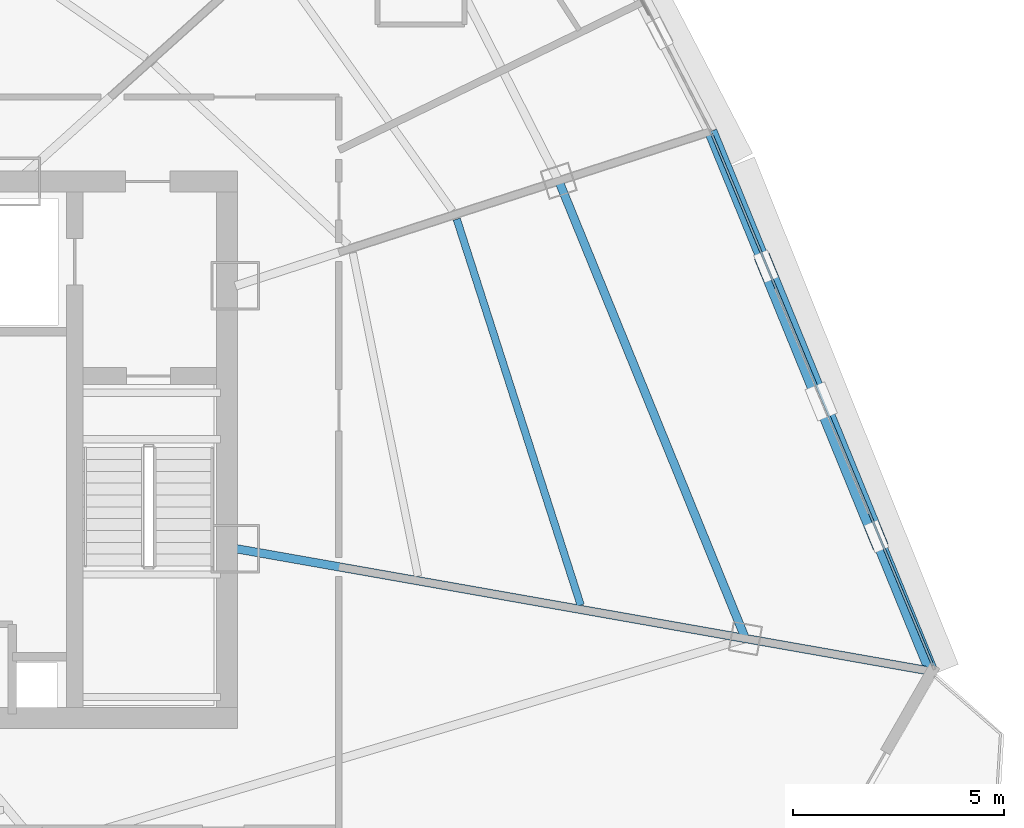
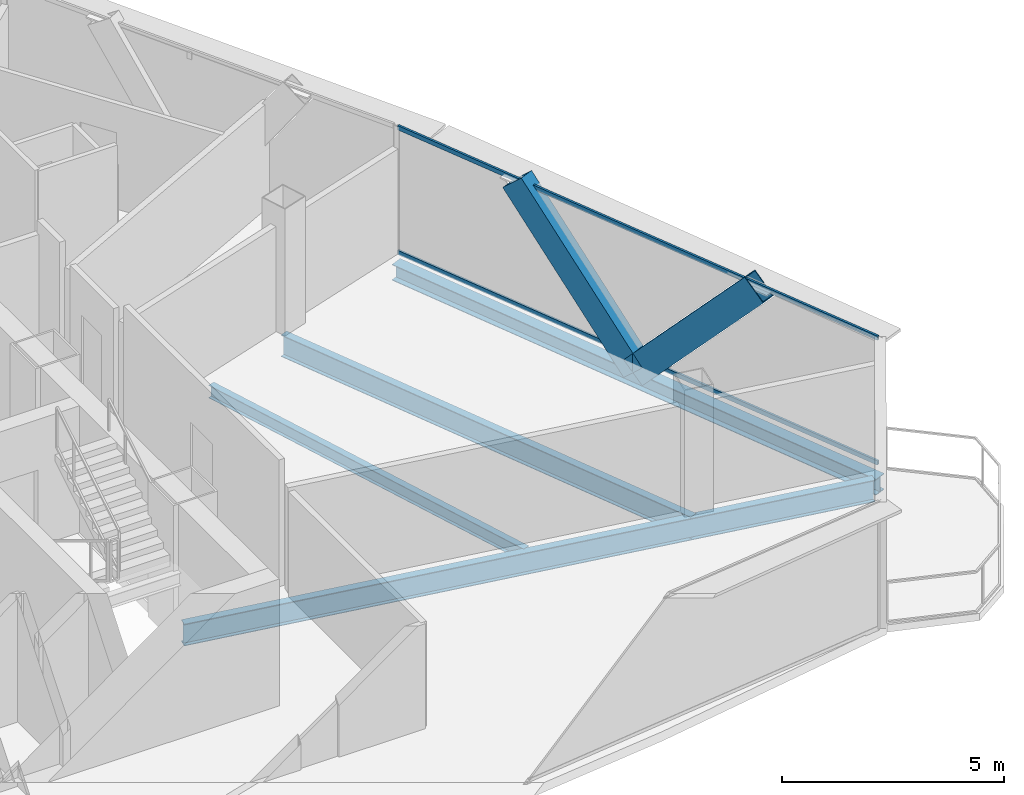
# One storey, part 15 of 33: 4 beams, 4 members, 1 element without a shape of its own.
"""IFC4 building model written with IfcOpenShell, lengths in metres."""

from ifc_helpers import new_model, si_unit, direction, frame, origin, origin_2d, place, context, subcontext, project, spatial, hollow_rectangle, i_section, extrude, source, transform, mapped, material, layer, layer_set, material_profile, profile_set, type_object, element, aggregate, save


model = new_model("IFC4")

# Units and contexts
model_context = context("Model", 3, precision=1e-05, world=origin(), true_north=direction((0.0, 1.0)))
body_context = subcontext(model_context, "Body", "Model", "MODEL_VIEW")
ifc_project = project(units=[si_unit("LENGTHUNIT", "METRE"), si_unit("AREAUNIT", "SQUARE_METRE"), si_unit("VOLUMEUNIT", "CUBIC_METRE"), si_unit("PLANEANGLEUNIT", "RADIAN"), si_unit("MASSUNIT", "GRAM", prefix="KILO"), si_unit("THERMODYNAMICTEMPERATUREUNIT", "KELVIN"), si_unit("POWERUNIT", "WATT")], contexts=[model_context])

# Site, building, storey
site_placement = place(None, origin())
site = spatial("IfcSite", under=ifc_project, at=site_placement, CompositionType="ELEMENT")
building_placement = place(site_placement, origin())
building = spatial("IfcBuilding", under=site, at=building_placement, Name="Yunzhuo Pagoda Commons", CompositionType="ELEMENT")
storey_placement = place(building_placement, frame((0.0, 0.0, 329.260009765625)))
storey = spatial("IfcBuildingStorey", under=building, at=storey_placement, Name="L82", CompositionType="ELEMENT", Elevation=329.260009765625)

# Beams
ifc_material_1 = material(Name="Structural steel Q355B", Category="steel")
ifc_material_profile_1 = material_profile(ifc_material_1, i_section(OverallWidth=0.300048828125, OverallDepth=0.43994140625, WebThickness=0.010986328125, FlangeThickness=0.01806640625, at=origin_2d()), Name="Structural steel Q355B")
ifc_profile_set_1 = profile_set([ifc_material_profile_1], Name="Structural steel Q355B")
beam_type_1 = type_object("IfcBeamType", Name="B-SP2 Beam HM 440x300x11x18", PredefinedType="BEAM", material=ifc_profile_set_1)
shared_shape_1 = source(origin(), body_context, "Body", "SweptSolid", [
    extrude(i_section(OverallWidth=0.300048828125, OverallDepth=0.43994140625, WebThickness=0.010986328125, FlangeThickness=0.01806640625, at=origin_2d()), origin(), (0.0, 0.0, 1.0), 13.80419921875),
])
beam_1_placement = place(storey_placement, frame((76.87744140625, 28.608154296875, -0.47998046875), z_axis=(-0.378566733914, 0.925573999189, 0.0), x_axis=(-0.925573999189, -0.378566733914, 0.0)))
element("IfcBeam", 1, at=beam_1_placement, inside=storey, type_object=beam_type_1, Name="L82 facade edge spandrel beam F2.1", PredefinedType="BEAM", context=body_context, shape_type="MappedRepresentation", body=[
    mapped(shared_shape_1, transform((0.0, 0.0, 0.0), scale=1.0)),
])
ifc_material_profile_2 = material_profile(ifc_material_1, i_section(OverallWidth=0.199951171875, OverallDepth=0.60009765625, WebThickness=0.010986328125, FlangeThickness=0.01708984375, at=origin_2d()), Name="Structural steel Q355B")
ifc_profile_set_2 = profile_set([ifc_material_profile_2], Name="Structural steel Q355B")
beam_type_2 = type_object("IfcBeamType", Name="B-RG3 Beam HN 600x200x11x17", PredefinedType="BEAM", material=ifc_profile_set_2)
shared_shape_2 = source(origin(), body_context, "Body", "SweptSolid", [
    extrude(i_section(OverallWidth=0.199951171875, OverallDepth=0.60009765625, WebThickness=0.010986328125, FlangeThickness=0.01708984375, at=origin_2d()), origin(), (0.0, 0.0, 1.0), 11.696533203125),
])
beam_2_placement = place(storey_placement, frame((72.47021484375, 29.38525390625, -0.56005859375), z_axis=(-0.377611800863, 0.925963999219, 0.0), x_axis=(-0.925963999219, -0.377611800863, 0.0)))
element("IfcBeam", 2, at=beam_2_placement, inside=storey, type_object=beam_type_2, Name="L82 column-ring beam 5", PredefinedType="BEAM", context=body_context, shape_type="MappedRepresentation", body=[
    mapped(shared_shape_2, transform((0.0, 0.0, 0.0), scale=1.0)),
])
shared_shape_3 = source(origin(), body_context, "Body", "SweptSolid", [
    extrude(i_section(OverallWidth=0.199951171875, OverallDepth=0.60009765625, WebThickness=0.010986328125, FlangeThickness=0.01708984375, at=origin_2d()), origin(), (0.0, 0.0, 1.0), 16.576416015625),
])
beam_3_placement = place(storey_placement, frame((76.724609375, 28.635009765625, -0.56005859375), z_axis=(-0.984808457955, 0.173644179692, 0.0), x_axis=(-0.173644179692, -0.984808457955, 0.0)))
element("IfcBeam", 3, at=beam_3_placement, inside=storey, type_object=beam_type_2, Name="L82 radial floor girder F2C1", PredefinedType="BEAM", context=body_context, shape_type="MappedRepresentation", body=[
    mapped(shared_shape_3, transform((0.0, 0.0, 0.0), scale=1.0)),
])
ifc_material_profile_3 = material_profile(ifc_material_1, i_section(OverallWidth=0.175048828125, OverallDepth=0.35009765625, WebThickness=0.007080078125, FlangeThickness=0.010986328125, at=origin_2d()), Name="Structural steel Q355B")
ifc_profile_set_3 = profile_set([ifc_material_profile_3], Name="Structural steel Q355B")
beam_type_3 = type_object("IfcBeamType", Name="B-JS2 Joist HN 350x175x7x11", PredefinedType="JOIST", material=ifc_profile_set_3)
shared_shape_4 = source(origin(), body_context, "Body", "SweptSolid", [
    extrude(i_section(OverallWidth=0.175048828125, OverallDepth=0.35009765625, WebThickness=0.007080078125, FlangeThickness=0.010986328125, at=origin_2d()), origin(), (0.0, 0.0, 1.0), 9.593994140625),
])
beam_4_placement = place(storey_placement, frame((68.572509765625, 30.17578125, -0.43505859375), z_axis=(-0.305719218499, 0.952121714614, 0.0), x_axis=(-0.952121714614, -0.305719218499, 0.0)))
element("IfcBeam", 4, at=beam_4_placement, inside=storey, type_object=beam_type_3, Name="L82 composite ring joist 2.5", PredefinedType="JOIST", context=body_context, shape_type="MappedRepresentation", body=[
    mapped(shared_shape_4, transform((0.0, 0.0, 0.0), scale=1.0)),
])

# Members
ifc_material_profile_4 = material_profile(ifc_material_1, hollow_rectangle(XDim=0.3798828125, YDim=0.719970703125, WallThickness=0.02001953125, at=origin_2d()), Name="Structural steel Q355B")
ifc_profile_set_4 = profile_set([ifc_material_profile_4], Name="Structural steel Q355B")
member_type_1 = type_object("IfcMemberType", Name="M-DL3 Brace BOX 720x380x20", PredefinedType="BRACE", material=ifc_profile_set_4)
shared_shape_5 = source(origin(), body_context, "Body", "SweptSolid", [
    extrude(hollow_rectangle(XDim=0.3798828125, YDim=0.719970703125, WallThickness=0.02001953125, at=origin_2d()), origin(), (0.0, 0.0, 1.0), 5.096435546875),
])
member_1_placement = place(storey_placement, frame((74.264404296875, 34.99658203125, -0.260009765625), z_axis=(0.256383546831, -0.62677920903, 0.735809282384), x_axis=(0.925560477573, 0.378599791805, 0.0)))
element("IfcMember", 5, at=member_1_placement, inside=storey, type_object=member_type_1, Name="L82 facade diamond brace F2.1L", PredefinedType="BRACE", context=body_context, shape_type="MappedRepresentation", body=[
    mapped(shared_shape_5, transform((0.0, 0.0, 0.0), scale=1.0)),
])
shared_shape_6 = source(origin(), body_context, "Body", "SweptSolid", [
    extrude(hollow_rectangle(XDim=0.3798828125, YDim=0.719970703125, WallThickness=0.02001953125, at=origin_2d()), origin(), (0.0, 0.0, 1.0), 5.09619140625),
])
member_2_placement = place(storey_placement, frame((74.264404296875, 34.99658203125, -0.260009765625), z_axis=(-0.256346487536, 0.626757820302, 0.735840412737), x_axis=(-0.925575126988, -0.378563976497, 0.0)))
element("IfcMember", 6, at=member_2_placement, inside=storey, type_object=member_type_1, Name="L82 facade diamond brace F2.1R", PredefinedType="BRACE", context=body_context, shape_type="MappedRepresentation", body=[
    mapped(shared_shape_6, transform((0.0, 0.0, 0.0), scale=1.0)),
])

# Curtain wall, members
ifc_material_2 = material(Name="Anodized aluminium 6063-T6", Category="aluminium")
ifc_layer = layer(ifc_material_2, 0.139892578125)
ifc_layer_set = layer_set([ifc_layer], Name="Anodized aluminium 6063-T6")
curtain_wall_type = type_object("IfcCurtainWallType", Name="CW-HI High-Zone Ribbon Curtain Wall", PredefinedType="NOTDEFINED", material=ifc_layer_set)
curtain_wall_placement = place(storey_placement, origin())
curtain_wall = element("IfcCurtainWall", 7, at=curtain_wall_placement, inside=storey, type_object=curtain_wall_type, Name="L82 curtain wall CW-L82-F2B2", PredefinedType="NOTDEFINED")
ifc_material_profile_5 = material_profile(ifc_material_2, hollow_rectangle(XDim=0.054931640625, YDim=0.1201171875, WallThickness=0.00341796875, at=origin_2d()), Name="Anodized aluminium 6063-T6")
ifc_profile_set_5 = profile_set([ifc_material_profile_5], Name="Anodized aluminium 6063-T6")
member_type_2 = type_object("IfcMemberType", Name="CW-HI-T Transom RHS 120x55x3.5", PredefinedType="USERDEFINED", material=ifc_profile_set_5)
shared_shape_7 = source(origin(), body_context, "Body", "SweptSolid", [
    extrude(hollow_rectangle(XDim=0.054931640625, YDim=0.1201171875, WallThickness=0.00341796875, at=origin_2d()), origin(), (0.0, 0.0, 1.0), 13.62646484375),
])
member_3_placement = place(storey_placement, frame((76.90478515625, 28.746826171875, 0.027587890625), z_axis=(-0.383812484242, 0.92341105524, 0.0), x_axis=(-0.92341105524, -0.383812484242, 0.0)))
member_3 = element("IfcMember", 8, at=member_3_placement, type_object=member_type_2, Name="CW transom 1.1", ObjectType="TRANSOM", PredefinedType="USERDEFINED", context=body_context, shape_type="MappedRepresentation", body=[
    mapped(shared_shape_7, transform((0.0, 0.0, 0.0), scale=1.0)),
])
member_4_placement = place(storey_placement, frame((76.90478515625, 28.746826171875, 3.46240234375), z_axis=(-0.383812484242, 0.92341105524, 0.0), x_axis=(-0.92341105524, -0.383812484242, 0.0)))
member_4 = element("IfcMember", 9, at=member_4_placement, type_object=member_type_2, Name="CW transom 1.2", ObjectType="TRANSOM", PredefinedType="USERDEFINED", context=body_context, shape_type="MappedRepresentation", body=[
    mapped(shared_shape_7, transform((0.0, 0.0, 0.0), scale=1.0)),
])
aggregate(curtain_wall, [member_3, member_4])

save(model, "model.ifc")
